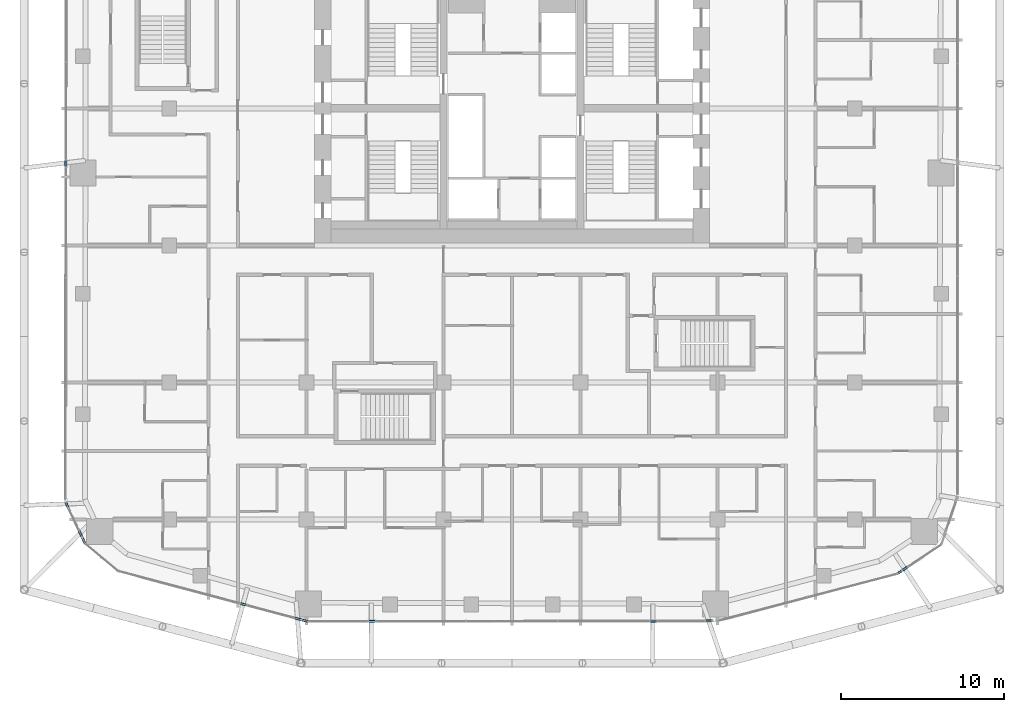
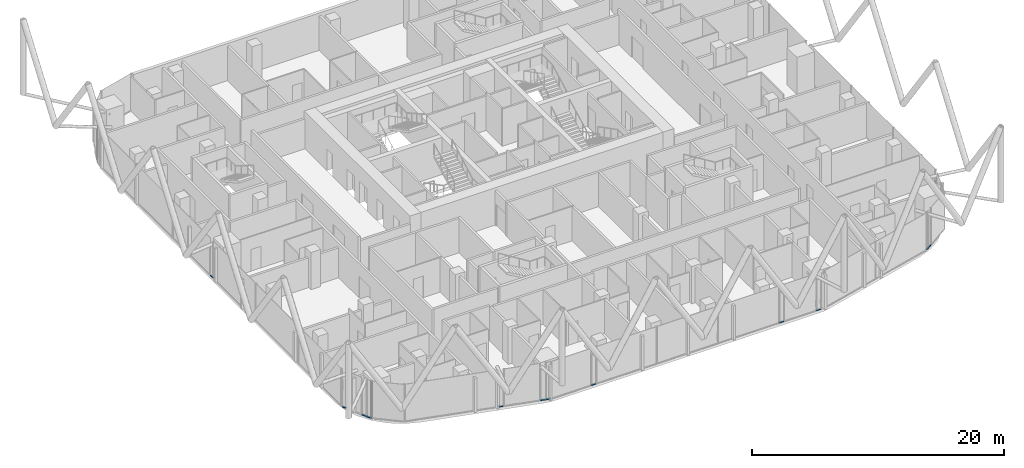
# One storey, part 15 of 36: 12 members, 12 elements without a shape of their own.
"""IFC4 building model written with IfcOpenShell, lengths in metres."""

from ifc_helpers import new_model, si_unit, direction, frame, origin, origin_2d, place, context, subcontext, project, spatial, rectangle, extrude, material, layer, layer_set, material_profile, profile_set, type_object, element, aggregate, save


model = new_model("IFC4")

# Units and contexts
model_context = context("Model", 3, precision=1e-05, world=origin(), true_north=direction((0.0, 1.0)))
body_context = subcontext(model_context, "Body", "Model", "MODEL_VIEW")
ifc_project = project(units=[si_unit("LENGTHUNIT", "METRE"), si_unit("AREAUNIT", "SQUARE_METRE"), si_unit("VOLUMEUNIT", "CUBIC_METRE"), si_unit("PLANEANGLEUNIT", "RADIAN"), si_unit("MASSUNIT", "GRAM", prefix="KILO")], contexts=[model_context])

# Site, building, storey
site_placement = place(None, origin())
site = spatial("IfcSite", under=ifc_project, at=site_placement, CompositionType="ELEMENT")
building_placement = place(site_placement, origin())
building = spatial("IfcBuilding", under=site, at=building_placement, Name="Marenta Gate Hotel Tower", CompositionType="ELEMENT")
storey_placement = place(building_placement, frame((0.0, 0.0, 130.10009765625)))
storey = spatial("IfcBuildingStorey", under=building, at=storey_placement, Name="L29", CompositionType="ELEMENT", Elevation=130.10009765625)

# Curtain wall, member
ifc_material_1 = material(Name="Tinted insulated glass in bronze anodised frame", Category="glass")
ifc_layer = layer(ifc_material_1, 0.1201171875)
ifc_layer_set = layer_set([ifc_layer], Name="Tinted insulated glass in bronze anodised frame")
curtain_wall_type = type_object("IfcCurtainWallType", Name="Tower unitised curtain wall CW1", PredefinedType="NOTDEFINED", material=ifc_layer_set)
curtain_wall_1_placement = place(storey_placement, origin())
curtain_wall_1 = element("IfcCurtainWall", 1, at=curtain_wall_1_placement, inside=storey, type_object=curtain_wall_type, Name="CW1 run G07", PredefinedType="NOTDEFINED")
ifc_material_2 = material(Name="Bronze anodised aluminium", Category="aluminium")
ifc_material_profile = material_profile(ifc_material_2, rectangle(XDim=0.1201171875, YDim=0.06005859375, at=origin_2d()), Name="Transom CW1 60x120 bronze anodised aluminium")
ifc_profile_set = profile_set([ifc_material_profile], Name="Bronze anodised aluminium")
member_type = type_object("IfcMemberType", Name="Transom CW1 60x120 bronze anodised aluminium", PredefinedType="USERDEFINED", material=ifc_profile_set)
member_1_placement = place(storey_placement, frame((-27.34033203125, 5.23193359375, 0.02978515625), z_axis=(-0.00123152616, -0.999999241671, 0.0), x_axis=(0.999999241671, -0.00123152616, 0.0)))
member_1 = element("IfcMember", 2, at=member_1_placement, type_object=member_type, Name="CW1 transom 1.1", ObjectType="TRANSOM", PredefinedType="USERDEFINED", context=body_context, shape_type="SweptSolid", body=[
    extrude(rectangle(XDim=0.1201171875, YDim=0.06005859375, at=origin_2d()), origin(), (0.0, 0.0, 1.0), 0.396484375),
])
aggregate(curtain_wall_1, [member_1])

curtain_wall_2_placement = place(storey_placement, origin())
curtain_wall_2 = element("IfcCurtainWall", 3, at=curtain_wall_2_placement, inside=storey, type_object=curtain_wall_type, Name="CW1 run G09", PredefinedType="NOTDEFINED")
member_2_placement = place(storey_placement, frame((-27.34765625, -15.748046875, 0.02978515625), z_axis=(0.423272916218, -0.906002228693, 0.0), x_axis=(0.906002228693, 0.423272916218, 0.0)))
member_2 = element("IfcMember", 4, at=member_2_placement, type_object=member_type, Name="CW1 transom 1.1", ObjectType="TRANSOM", PredefinedType="USERDEFINED", context=body_context, shape_type="SweptSolid", body=[
    extrude(rectangle(XDim=0.1201171875, YDim=0.06005859375, at=origin_2d()), origin(), (0.0, 0.0, 1.0), 0.344970703125),
])
aggregate(curtain_wall_2, [member_2])

curtain_wall_3_placement = place(storey_placement, origin())
curtain_wall_3 = element("IfcCurtainWall", 5, at=curtain_wall_3_placement, inside=storey, type_object=curtain_wall_type, Name="CW1 run G11", PredefinedType="NOTDEFINED")
member_3_placement = place(storey_placement, frame((-26.544189453125, -17.4677734375, 0.02978515625), z_axis=(0.423960267339, -0.905680789085, 0.0), x_axis=(0.905680789085, 0.423960267339, 0.0)))
member_3 = element("IfcMember", 6, at=member_3_placement, type_object=member_type, Name="CW1 transom 1.1", ObjectType="TRANSOM", PredefinedType="USERDEFINED", context=body_context, shape_type="SweptSolid", body=[
    extrude(rectangle(XDim=0.1201171875, YDim=0.06005859375, at=origin_2d()), origin(), (0.0, 0.0, 1.0), 0.422607421875),
])
aggregate(curtain_wall_3, [member_3])

curtain_wall_4_placement = place(storey_placement, origin())
curtain_wall_4 = element("IfcCurtainWall", 7, at=curtain_wall_4_placement, inside=storey, type_object=curtain_wall_type, Name="CW1 run G12", PredefinedType="NOTDEFINED")
member_4_placement = place(storey_placement, frame((-26.339599609375, -17.905029296875, 0.02978515625), z_axis=(0.42295417161, -0.906151073893, 0.0), x_axis=(0.906151073893, 0.42295417161, 0.0)))
member_4 = element("IfcMember", 8, at=member_4_placement, type_object=member_type, Name="CW1 transom 1.1", ObjectType="TRANSOM", PredefinedType="USERDEFINED", context=body_context, shape_type="SweptSolid", body=[
    extrude(rectangle(XDim=0.1201171875, YDim=0.06005859375, at=origin_2d()), origin(), (0.0, 0.0, 1.0), 0.38916015625),
])
aggregate(curtain_wall_4, [member_4])

curtain_wall_5_placement = place(storey_placement, origin())
curtain_wall_5 = element("IfcCurtainWall", 9, at=curtain_wall_5_placement, inside=storey, type_object=curtain_wall_type, Name="CW1 run G15", PredefinedType="NOTDEFINED")
member_5_placement = place(storey_placement, frame((-16.650390625, -21.94482421875, 0.02978515625), z_axis=(0.966379102199, -0.257121432076, 0.0), x_axis=(0.257121432076, 0.966379102199, 0.0)))
member_5 = element("IfcMember", 10, at=member_5_placement, type_object=member_type, Name="CW1 transom 1.1", ObjectType="TRANSOM", PredefinedType="USERDEFINED", context=body_context, shape_type="SweptSolid", body=[
    extrude(rectangle(XDim=0.1201171875, YDim=0.06005859375, at=origin_2d()), origin(), (0.0, 0.0, 1.0), 0.39306640625),
])
aggregate(curtain_wall_5, [member_5])

curtain_wall_6_placement = place(storey_placement, origin())
curtain_wall_6 = element("IfcCurtainWall", 11, at=curtain_wall_6_placement, inside=storey, type_object=curtain_wall_type, Name="CW1 run G17", PredefinedType="NOTDEFINED")
member_6_placement = place(storey_placement, frame((-13.3193359375, -22.8310546875, 0.02978515625), z_axis=(0.966369996674, -0.257155652336, 0.0), x_axis=(0.257155652336, 0.966369996674, 0.0)))
member_6 = element("IfcMember", 12, at=member_6_placement, type_object=member_type, Name="CW1 transom 1.1", ObjectType="TRANSOM", PredefinedType="USERDEFINED", context=body_context, shape_type="SweptSolid", body=[
    extrude(rectangle(XDim=0.1201171875, YDim=0.06005859375, at=origin_2d()), origin(), (0.0, 0.0, 1.0), 0.419677734375),
])
aggregate(curtain_wall_6, [member_6])

curtain_wall_7_placement = place(storey_placement, origin())
curtain_wall_7 = element("IfcCurtainWall", 13, at=curtain_wall_7_placement, inside=storey, type_object=curtain_wall_type, Name="CW1 run G18", PredefinedType="NOTDEFINED")
member_7_placement = place(storey_placement, frame((-12.855712890625, -22.954345703125, 0.02978515625), z_axis=(0.96625731902, -0.257578713095, 0.0), x_axis=(0.257578713095, 0.96625731902, 0.0)))
member_7 = element("IfcMember", 14, at=member_7_placement, type_object=member_type, Name="CW1 transom 1.1", ObjectType="TRANSOM", PredefinedType="USERDEFINED", context=body_context, shape_type="SweptSolid", body=[
    extrude(rectangle(XDim=0.1201171875, YDim=0.06005859375, at=origin_2d()), origin(), (0.0, 0.0, 1.0), 0.362060546875),
])
aggregate(curtain_wall_7, [member_7])

curtain_wall_8_placement = place(storey_placement, origin())
curtain_wall_8 = element("IfcCurtainWall", 15, at=curtain_wall_8_placement, inside=storey, type_object=curtain_wall_type, Name="CW1 run G20", PredefinedType="NOTDEFINED")
member_8_placement = place(storey_placement, frame((-8.7841796875, -23.04248046875, 0.02978515625), z_axis=(0.999999227466, 0.001243007119, 0.0), x_axis=(-0.001243007119, 0.999999227466, 0.0)))
member_8 = element("IfcMember", 16, at=member_8_placement, type_object=member_type, Name="CW1 transom 1.1", ObjectType="TRANSOM", PredefinedType="USERDEFINED", context=body_context, shape_type="SweptSolid", body=[
    extrude(rectangle(XDim=0.1201171875, YDim=0.06005859375, at=origin_2d()), origin(), (0.0, 0.0, 1.0), 0.392822265625),
])
aggregate(curtain_wall_8, [member_8])

curtain_wall_9_placement = place(storey_placement, origin())
curtain_wall_9 = element("IfcCurtainWall", 17, at=curtain_wall_9_placement, inside=storey, type_object=curtain_wall_type, Name="CW1 run G22", PredefinedType="NOTDEFINED")
member_9_placement = place(storey_placement, frame((8.4677734375, -23.018798828125, 0.02978515625), z_axis=(0.999999228426, 0.001242235066, 0.0), x_axis=(-0.001242235066, 0.999999228426, 0.0)))
member_9 = element("IfcMember", 18, at=member_9_placement, type_object=member_type, Name="CW1 transom 1.1", ObjectType="TRANSOM", PredefinedType="USERDEFINED", context=body_context, shape_type="SweptSolid", body=[
    extrude(rectangle(XDim=0.1201171875, YDim=0.06005859375, at=origin_2d()), origin(), (0.0, 0.0, 1.0), 0.39306640625),
])
aggregate(curtain_wall_9, [member_9])

curtain_wall_10_placement = place(storey_placement, origin())
curtain_wall_10 = element("IfcCurtainWall", 19, at=curtain_wall_10_placement, inside=storey, type_object=curtain_wall_type, Name="CW1 run G24", PredefinedType="NOTDEFINED")
member_10_placement = place(storey_placement, frame((11.881591796875, -23.01416015625, 0.02978515625), z_axis=(0.999999071937, 0.001362396556, 0.0), x_axis=(-0.001362396556, 0.999999071937, 0.0)))
member_10 = element("IfcMember", 20, at=member_10_placement, type_object=member_type, Name="CW1 transom 1.1", ObjectType="TRANSOM", PredefinedType="USERDEFINED", context=body_context, shape_type="SweptSolid", body=[
    extrude(rectangle(XDim=0.1201171875, YDim=0.06005859375, at=origin_2d()), origin(), (0.0, 0.0, 1.0), 0.3583984375),
])
aggregate(curtain_wall_10, [member_10])

curtain_wall_11_placement = place(storey_placement, origin())
curtain_wall_11 = element("IfcCurtainWall", 21, at=curtain_wall_11_placement, inside=storey, type_object=curtain_wall_type, Name="CW1 run G26", PredefinedType="NOTDEFINED")
member_11_placement = place(storey_placement, frame((23.657470703125, -20.096435546875, 0.02978515625), z_axis=(0.832603197014, 0.553869945314, 0.0), x_axis=(-0.553869945314, 0.832603197014, 0.0)))
member_11 = element("IfcMember", 22, at=member_11_placement, type_object=member_type, Name="CW1 transom 1.1", ObjectType="TRANSOM", PredefinedType="USERDEFINED", context=body_context, shape_type="SweptSolid", body=[
    extrude(rectangle(XDim=0.1201171875, YDim=0.06005859375, at=origin_2d()), origin(), (0.0, 0.0, 1.0), 0.271484375),
])
aggregate(curtain_wall_11, [member_11])

curtain_wall_12_placement = place(storey_placement, origin())
curtain_wall_12 = element("IfcCurtainWall", 23, at=curtain_wall_12_placement, inside=storey, type_object=curtain_wall_type, Name="CW1 run G27", PredefinedType="NOTDEFINED")
member_12_placement = place(storey_placement, frame((23.93359375, -19.912841796875, 0.02978515625), z_axis=(0.832432384861, 0.55412663231, 0.0), x_axis=(-0.55412663231, 0.832432384861, 0.0)))
member_12 = element("IfcMember", 24, at=member_12_placement, type_object=member_type, Name="CW1 transom 1.1", ObjectType="TRANSOM", PredefinedType="USERDEFINED", context=body_context, shape_type="SweptSolid", body=[
    extrude(rectangle(XDim=0.1201171875, YDim=0.06005859375, at=origin_2d()), origin(), (0.0, 0.0, 1.0), 0.39306640625),
])
aggregate(curtain_wall_12, [member_12])

save(model, "model.ifc")
